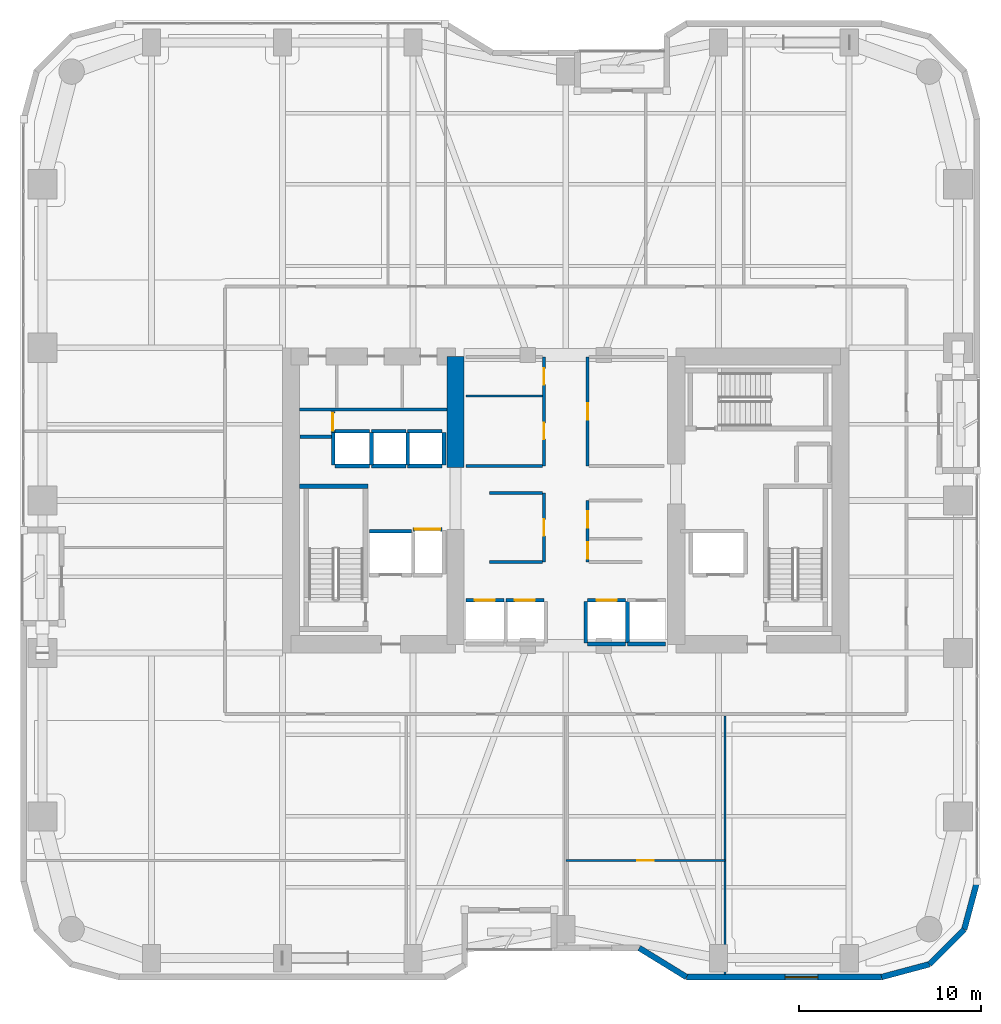
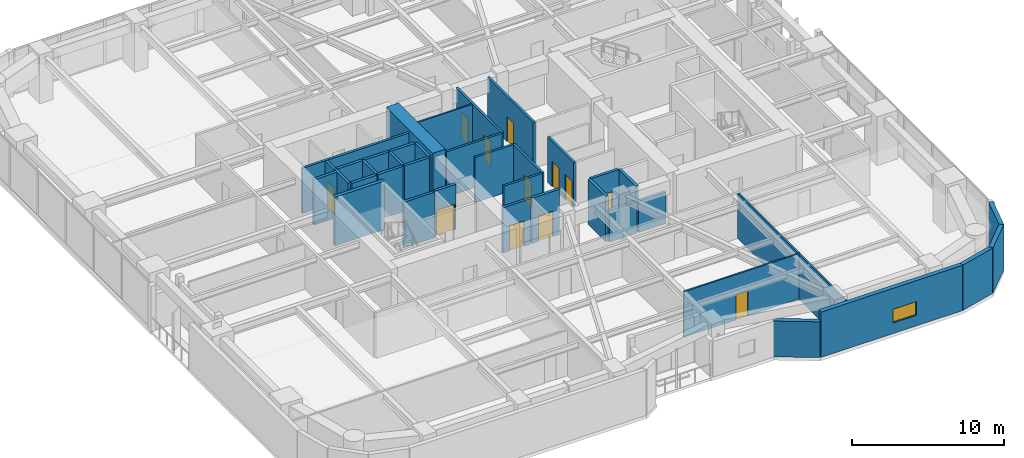
# One storey, part 19 of 24: 39 walls, 12 doors, 1 window, 13 openings.
"""IFC4 building model written with IfcOpenShell, lengths in metres."""

from ifc_helpers import new_model, si_unit, direction, frame, frame_2d, origin, place, context, subcontext, project, spatial, rectangle, extrude, material, layer, layer_set, type_object, element, fill, save


model = new_model("IFC4")

# Units and contexts
model_context = context("Model", 3, precision=1e-05, world=origin(), true_north=direction((0.0, 1.0)))
body_context = subcontext(model_context, "Body", "Model", "MODEL_VIEW")
ifc_project = project(units=[si_unit("LENGTHUNIT", "METRE"), si_unit("AREAUNIT", "SQUARE_METRE"), si_unit("VOLUMEUNIT", "CUBIC_METRE"), si_unit("PLANEANGLEUNIT", "RADIAN"), si_unit("MASSUNIT", "GRAM", prefix="KILO")], contexts=[model_context])

# Site, building, storey
site_placement = place(None, origin())
site = spatial("IfcSite", under=ifc_project, at=site_placement, CompositionType="ELEMENT")
building_placement = place(site_placement, origin())
building = spatial("IfcBuilding", under=site, at=building_placement, Name="Kiyonajd Concourse Tower", CompositionType="ELEMENT")
storey_placement = place(building_placement, frame((0.0, 0.0, 85.800048828125)))
storey = spatial("IfcBuildingStorey", under=building, at=storey_placement, Name="L22", CompositionType="ELEMENT", Elevation=85.800048828125)

# Walls
ifc_material_1 = material(Name="Concrete C80/95", Category="concrete")
ifc_layer_1 = layer(ifc_material_1, 0.949951171875)
ifc_layer_set_1 = layer_set([ifc_layer_1], Name="Concrete C80/95")
wall_type_1 = type_object("IfcWallType", Name="WL-CORE-950", PredefinedType="SHEAR", material=ifc_layer_set_1)
wall_1_placement = place(storey_placement, frame((41.925048828125, 37.800048828125, 0.0), z_axis=(0.0, 0.0, 1.0), x_axis=(0.0, 1.0, 0.0)))
element("IfcWall", 1, at=wall_1_placement, inside=storey, type_object=wall_type_1, Name="L22 West Core Inner North Shear Wall", PredefinedType="SHEAR", context=body_context, shape_type="SweptSolid", body=[
    extrude(rectangle(XDim=6.125, YDim=0.949951171875, at=frame_2d((3.0625, 0.0))), origin(), (0.0, 0.0, 1.0), 3.89990234375),
])
ifc_material_2 = material(Name="Precast concrete C50/60", Category="concrete")
ifc_layer_2 = layer(ifc_material_2, 0.320068359375)
ifc_layer_set_2 = layer_set([ifc_layer_2], Name="Precast concrete C50/60")
wall_type_2 = type_object("IfcWallType", Name="WL-EXT-320", PredefinedType="SOLIDWALL", material=ifc_layer_set_2)
wall_2_placement = place(storey_placement, frame((70.639892578125, 15.02099609375, 0.0), z_axis=(0.0, 0.0, 1.0), x_axis=(-0.258613949072, -0.965980758269, 0.0)))
element("IfcWall", 2, at=wall_2_placement, inside=storey, type_object=wall_type_2, Name="L22 Exterior Concrete Frame Wall 25", PredefinedType="SOLIDWALL", context=body_context, shape_type="SweptSolid", body=[
    extrude(rectangle(XDim=2.731201171875, YDim=0.320068359375, at=frame_2d((1.36572265625, 0.0))), origin(), (0.0, 0.0, 1.0), 3.639892578125),
])
wall_3_placement = place(storey_placement, frame((69.93359375, 12.3828125, 0.0), z_axis=(0.0, 0.0, 1.0), x_axis=(-0.707151821269, -0.707061738235, 0.0)))
element("IfcWall", 3, at=wall_3_placement, inside=storey, type_object=wall_type_2, Name="L22 Exterior Concrete Frame Wall 26", PredefinedType="SOLIDWALL", context=body_context, shape_type="SweptSolid", body=[
    extrude(rectangle(XDim=2.710205078125, YDim=0.320068359375, at=frame_2d((1.35498046875, 0.0))), origin(), (0.0, 0.0, 1.0), 3.639892578125),
])
wall_4_placement = place(storey_placement, frame((68.01708984375, 10.466552734375, 0.0), z_axis=(0.0, 0.0, 1.0), x_axis=(-0.965958423373, -0.25869736047, 0.0)))
element("IfcWall", 4, at=wall_4_placement, inside=storey, type_object=wall_type_2, Name="L22 Exterior Concrete Frame Wall 27", PredefinedType="SOLIDWALL", context=body_context, shape_type="SweptSolid", body=[
    extrude(rectangle(XDim=2.731201171875, YDim=0.320068359375, at=frame_2d((1.36572265625, 0.0))), origin(), (0.0, 0.0, 1.0), 3.639892578125),
])

# Wall, opening, window
wall_5_placement = place(storey_placement, frame((65.37890625, 9.760009765625, 0.0), z_axis=(0.0, 0.0, 1.0), x_axis=(-1.0, 0.0, 0.0)))
wall_5 = element("IfcWall", 5, at=wall_5_placement, inside=storey, type_object=wall_type_2, Name="L22 Exterior Concrete Frame Wall 28", PredefinedType="SOLIDWALL", context=body_context, shape_type="SweptSolid", body=[
    extrude(rectangle(XDim=10.733642578125, YDim=0.320068359375, at=frame_2d((5.36669921875, 0.0))), origin(), (0.0, 0.0, 1.0), 3.639892578125),
])
opening_1_placement = place(wall_5_placement, frame((3.4990234375, 0.0, 0.85009765625)))
opening_1 = element("IfcOpeningElement", 6, at=opening_1_placement, cuts=wall_5, Name="Opening WN1", PredefinedType="OPENING", context=body_context, shape_type="SweptSolid", body=[
    extrude(rectangle(XDim=1.800048828125, YDim=1.10009765625, at=frame_2d((0.89990234375, 0.550048828125))), frame((0.0, 0.169921875, 0.0), z_axis=(0.0, -1.0, 0.0), x_axis=(1.0, 0.0, 0.0)), (0.0, 0.0, 1.0), 0.340087890625),
])
ifc_material_3 = material(Name="Double Low-E Insulated Glass", Category="glass")
window_type = type_object("IfcWindowType", Name="WN-VIS-1800x1100", PartitioningType="SINGLE_PANEL", PredefinedType="WINDOW", material=ifc_material_3)
window_placement = place(opening_1_placement, origin())
window = element("IfcWindow", 7, at=window_placement, inside=storey, type_object=window_type, Name="L22 Modular Facade Vision Window 28", OverallHeight=1.10009765625, OverallWidth=1.800048828125, PartitioningType="SINGLE_PANEL", PredefinedType="WINDOW", context=body_context, shape_type="SweptSolid", body=[
    extrude(rectangle(XDim=1.800048828125, YDim=1.10009765625, at=frame_2d((0.89990234375, 0.550048828125))), frame((0.0, 0.030029296875, 0.0), z_axis=(0.0, -1.0, 0.0), x_axis=(1.0, 0.0, 0.0)), (0.0, 0.0, 1.0), 0.06005859375),
])
fill(opening_1, window)

# Walls
wall_6_placement = place(storey_placement, frame((54.645263671875, 9.760009765625, 0.0), z_axis=(0.0, 0.0, 1.0), x_axis=(-0.851630857047, 0.524142044989, 0.0)))
element("IfcWall", 8, at=wall_6_placement, inside=storey, type_object=wall_type_2, Name="L22 Exterior Concrete Frame Wall 29", PredefinedType="SOLIDWALL", context=body_context, shape_type="SweptSolid", body=[
    extrude(rectangle(XDim=3.052734375, YDim=0.320068359375, at=frame_2d((1.5263671875, 0.0))), origin(), (0.0, 0.0, 1.0), 2.875),
])
ifc_material_4 = material(Name="Gypsum Board on Cold-Formed Steel Stud", Category="steel")
ifc_layer_3 = layer(ifc_material_4, 0.125)
ifc_layer_set_3 = layer_set([ifc_layer_3], Name="Gypsum Board on Cold-Formed Steel Stud")
wall_type_3 = type_object("IfcWallType", Name="WL-PART-125", PredefinedType="PARTITIONING", material=ifc_layer_set_3)
wall_7_placement = place(storey_placement, frame((42.5, 41.739990234375, 0.0), z_axis=(0.0, 0.0, 1.0), x_axis=(1.0, 0.0, 0.0)))
element("IfcWall", 9, at=wall_7_placement, inside=storey, type_object=wall_type_3, Name="L22 Interior Partition Wall", PredefinedType="PARTITIONING", context=body_context, shape_type="SweptSolid", body=[
    extrude(rectangle(XDim=4.212890625, YDim=0.125, at=frame_2d((2.1064453125, 0.0))), origin(), (0.0, 0.0, 1.0), 3.639892578125),
])

# Wall, opening, door
wall_8_placement = place(storey_placement, frame((48.0, 16.179931640625, 0.0), z_axis=(0.0, 0.0, 1.0), x_axis=(1.0, 0.0, 0.0)))
wall_8 = element("IfcWall", 10, at=wall_8_placement, inside=storey, type_object=wall_type_3, Name="L22 Interior Partition Wall", PredefinedType="PARTITIONING", context=body_context, shape_type="SweptSolid", body=[
    extrude(rectangle(XDim=8.77001953125, YDim=0.125, at=frame_2d((4.385009765625, 0.0))), origin(), (0.0, 0.0, 1.0), 3.639892578125),
])
opening_2_placement = place(wall_8_placement, frame((3.93505859375, 0.0, 0.0)))
opening_2 = element("IfcOpeningElement", 11, at=opening_2_placement, cuts=wall_8, Name="Opening DI2", PredefinedType="OPENING", context=body_context, shape_type="SweptSolid", body=[
    extrude(rectangle(XDim=0.89990234375, YDim=2.02001953125, at=frame_2d((0.449951171875, 1.010009765625))), frame((0.0, 0.072509765625, 0.0), z_axis=(0.0, -1.0, 0.0), x_axis=(1.0, 0.0, 0.0)), (0.0, 0.0, 1.0), 0.14501953125),
])
ifc_material_5 = material(Name="Natural Oak Acoustic Timber Veneer", Category="wood")
door_type_1 = type_object("IfcDoorType", Name="DR-INT-900", OperationType="NOTDEFINED", PredefinedType="DOOR", material=ifc_material_5)
door_1_placement = place(opening_2_placement, origin())
door_1 = element("IfcDoor", 12, at=door_1_placement, inside=storey, type_object=door_type_1, Name="L22 Interior Door", OperationType="SINGLE_SWING_LEFT", OverallHeight=2.02001953125, OverallWidth=0.89990234375, PredefinedType="DOOR", context=body_context, shape_type="SweptSolid", body=[
    extrude(rectangle(XDim=0.89990234375, YDim=2.02001953125, at=frame_2d((0.449951171875, 1.010009765625))), frame((0.0, 0.02490234375, 0.0), z_axis=(0.0, -1.0, 0.0), x_axis=(1.0, 0.0, 0.0)), (0.0, 0.0, 1.0), 0.050048828125),
])
fill(opening_2, door_1)

# Walls
wall_9_placement = place(storey_placement, frame((56.77001953125, 9.9150390625, 0.0), z_axis=(0.0, 0.0, 1.0), x_axis=(0.0, 1.0, 0.0)))
element("IfcWall", 13, at=wall_9_placement, inside=storey, type_object=wall_type_3, Name="L22 Interior Partition Wall", PredefinedType="PARTITIONING", context=body_context, shape_type="SweptSolid", body=[
    extrude(rectangle(XDim=14.22802734375, YDim=0.125, at=frame_2d((7.114013671875, 0.0))), origin(), (0.0, 0.0, 1.0), 3.639892578125),
])
ifc_layer_4 = layer(ifc_material_4, 0.18994140625)
ifc_layer_set_4 = layer_set([ifc_layer_4], Name="Gypsum Board on Cold-Formed Steel Stud")
wall_type_4 = type_object("IfcWallType", Name="WL-PLMB-190", PredefinedType="PLUMBINGWALL", material=ifc_layer_set_4)
wall_10_placement = place(storey_placement, frame((33.35009765625, 41.0, 0.0), z_axis=(0.0, 0.0, 1.0), x_axis=(1.0, 0.0, 0.0)))
element("IfcWall", 14, at=wall_10_placement, inside=storey, type_object=wall_type_4, Name="L22 Interior Partition Wall", PredefinedType="PLUMBINGWALL", context=body_context, shape_type="SweptSolid", body=[
    extrude(rectangle(XDim=8.099853515625, YDim=0.18994140625, at=frame_2d((4.0498046875, 0.0))), origin(), (0.0, 0.0, 1.0), 3.639892578125),
])
ifc_layer_5 = layer(ifc_material_4, 0.2099609375)
ifc_layer_set_5 = layer_set([ifc_layer_5], Name="Gypsum Board on Cold-Formed Steel Stud")
wall_type_5 = type_object("IfcWallType", Name="WL-SHAFT-210", PredefinedType="PARTITIONING", material=ifc_layer_set_5)
wall_11_placement = place(storey_placement, frame((33.360107421875, 39.5, 0.0), z_axis=(0.0, 0.0, 1.0), x_axis=(1.0, 0.0, 0.0)))
element("IfcWall", 15, at=wall_11_placement, inside=storey, type_object=wall_type_5, Name="L22 Shaft Enclosure Wall", PredefinedType="PARTITIONING", context=body_context, shape_type="SweptSolid", body=[
    extrude(rectangle(XDim=1.85986328125, YDim=0.2099609375, at=frame_2d((0.929931640625, 0.0))), origin(), (0.0, 0.0, 1.0), 3.639892578125),
])
wall_12_placement = place(storey_placement, frame((37.199951171875, 34.300048828125, 0.0), z_axis=(0.0, 0.0, 1.0), x_axis=(1.0, 0.0, 0.0)))
element("IfcWall", 16, at=wall_12_placement, inside=storey, type_object=wall_type_5, Name="L22 Shaft Enclosure Wall", PredefinedType="PARTITIONING", context=body_context, shape_type="SweptSolid", body=[
    extrude(rectangle(XDim=2.300048828125, YDim=0.2099609375, at=frame_2d((1.14990234375, 0.0))), origin(), (0.0, 0.0, 1.0), 3.639892578125),
])

# Wall, opening, door
wall_13_placement = place(storey_placement, frame((39.60009765625, 34.39990234375, 0.0), z_axis=(0.0, 0.0, 1.0), x_axis=(1.0, 0.0, 0.0)))
wall_13 = element("IfcWall", 17, at=wall_13_placement, inside=storey, type_object=wall_type_5, Name="L22 Shaft Enclosure Wall", PredefinedType="PARTITIONING", context=body_context, shape_type="SweptSolid", body=[
    extrude(rectangle(XDim=1.599853515625, YDim=0.2099609375, at=frame_2d((0.7998046875, 0.0))), origin(), (0.0, 0.0, 1.0), 3.639892578125),
])
opening_3_placement = place(wall_13_placement, frame((0.10009765625, 0.0, 0.0)))
opening_3 = element("IfcOpeningElement", 18, at=opening_3_placement, cuts=wall_13, Name="Opening LD3", PredefinedType="OPENING", context=body_context, shape_type="SweptSolid", body=[
    extrude(rectangle(XDim=1.39990234375, YDim=2.06005859375, at=frame_2d((0.699951171875, 1.030029296875))), frame((0.0, 0.114990234375, 0.0), z_axis=(0.0, -1.0, 0.0), x_axis=(1.0, 0.0, 0.0)), (0.0, 0.0, 1.0), 0.22998046875),
])
ifc_material_6 = material(Name="Brushed Stainless Steel Cab Assembly", Category="steel")
door_type_2 = type_object("IfcDoorType", Name="DR-LD-1400", OperationType="DOUBLE_DOOR_SLIDING", PredefinedType="DOOR", material=ifc_material_6)
door_2_placement = place(opening_3_placement, origin())
door_2 = element("IfcDoor", 19, at=door_2_placement, inside=storey, type_object=door_type_2, Name="L22 Lift SVL1 Sliding Landing Door", OperationType="DOUBLE_DOOR_SLIDING", OverallHeight=2.06005859375, OverallWidth=1.39990234375, PredefinedType="DOOR", context=body_context, shape_type="SweptSolid", body=[
    extrude(rectangle(XDim=1.39990234375, YDim=2.06005859375, at=frame_2d((0.699951171875, 1.030029296875))), frame((0.0, 0.02490234375, 0.0), z_axis=(0.0, -1.0, 0.0), x_axis=(1.0, 0.0, 0.0)), (0.0, 0.0, 1.0), 0.050048828125),
])
fill(opening_3, door_2)

wall_14_placement = place(storey_placement, frame((42.5, 30.5, 0.0), z_axis=(0.0, 0.0, 1.0), x_axis=(1.0, 0.0, 0.0)))
wall_14 = element("IfcWall", 20, at=wall_14_placement, inside=storey, type_object=wall_type_5, Name="L22 Shaft Enclosure Wall", PredefinedType="PARTITIONING", context=body_context, shape_type="SweptSolid", body=[
    extrude(rectangle(XDim=2.10009765625, YDim=0.2099609375, at=frame_2d((1.050048828125, 0.0))), origin(), (0.0, 0.0, 1.0), 3.639892578125),
])
opening_4_placement = place(wall_14_placement, frame((0.5, 0.0, 0.0)))
opening_4 = element("IfcOpeningElement", 21, at=opening_4_placement, cuts=wall_14, Name="Opening LD1", PredefinedType="OPENING", context=body_context, shape_type="SweptSolid", body=[
    extrude(rectangle(XDim=1.10009765625, YDim=2.0400390625, at=frame_2d((0.550048828125, 1.02001953125))), frame((0.0, 0.114990234375, 0.0), z_axis=(0.0, -1.0, 0.0), x_axis=(1.0, 0.0, 0.0)), (0.0, 0.0, 1.0), 0.22998046875),
])
door_type_3 = type_object("IfcDoorType", Name="DR-LD-1100", OperationType="DOUBLE_DOOR_SLIDING", PredefinedType="DOOR", material=ifc_material_6)
door_3_placement = place(opening_4_placement, origin())
door_3 = element("IfcDoor", 22, at=door_3_placement, inside=storey, type_object=door_type_3, Name="L22 Lift PL-L1 Sliding Landing Door", OperationType="DOUBLE_DOOR_SLIDING", OverallHeight=2.0400390625, OverallWidth=1.10009765625, PredefinedType="DOOR", context=body_context, shape_type="SweptSolid", body=[
    extrude(rectangle(XDim=1.10009765625, YDim=2.0400390625, at=frame_2d((0.550048828125, 1.02001953125))), frame((0.0, 0.02490234375, 0.0), z_axis=(0.0, -1.0, 0.0), x_axis=(1.0, 0.0, 0.0)), (0.0, 0.0, 1.0), 0.050048828125),
])
fill(opening_4, door_3)

wall_15_placement = place(storey_placement, frame((44.699951171875, 30.5, 0.0), z_axis=(0.0, 0.0, 1.0), x_axis=(1.0, 0.0, 0.0)))
wall_15 = element("IfcWall", 23, at=wall_15_placement, inside=storey, type_object=wall_type_5, Name="L22 Shaft Enclosure Wall", PredefinedType="PARTITIONING", context=body_context, shape_type="SweptSolid", body=[
    extrude(rectangle(XDim=2.10009765625, YDim=0.2099609375, at=frame_2d((1.050048828125, 0.0))), origin(), (0.0, 0.0, 1.0), 3.639892578125),
])
opening_5_placement = place(wall_15_placement, frame((0.5, 0.0, 0.0)))
opening_5 = element("IfcOpeningElement", 24, at=opening_5_placement, cuts=wall_15, Name="Opening LD1", PredefinedType="OPENING", context=body_context, shape_type="SweptSolid", body=[
    extrude(rectangle(XDim=1.10009765625, YDim=2.0400390625, at=frame_2d((0.550048828125, 1.02001953125))), frame((0.0, 0.114990234375, 0.0), z_axis=(0.0, -1.0, 0.0), x_axis=(1.0, 0.0, 0.0)), (0.0, 0.0, 1.0), 0.22998046875),
])
door_4_placement = place(opening_5_placement, origin())
door_4 = element("IfcDoor", 25, at=door_4_placement, inside=storey, type_object=door_type_3, Name="L22 Lift PL-L2 Sliding Landing Door", OperationType="DOUBLE_DOOR_SLIDING", OverallHeight=2.0400390625, OverallWidth=1.10009765625, PredefinedType="DOOR", context=body_context, shape_type="SweptSolid", body=[
    extrude(rectangle(XDim=1.10009765625, YDim=2.0400390625, at=frame_2d((0.550048828125, 1.02001953125))), frame((0.0, 0.02490234375, 0.0), z_axis=(0.0, -1.0, 0.0), x_axis=(1.0, 0.0, 0.0)), (0.0, 0.0, 1.0), 0.050048828125),
])
fill(opening_5, door_4)

wall_16_placement = place(storey_placement, frame((49.199951171875, 30.5, 0.0), z_axis=(0.0, 0.0, 1.0), x_axis=(1.0, 0.0, 0.0)))
wall_16 = element("IfcWall", 26, at=wall_16_placement, inside=storey, type_object=wall_type_5, Name="L22 Shaft Enclosure Wall", PredefinedType="PARTITIONING", context=body_context, shape_type="SweptSolid", body=[
    extrude(rectangle(XDim=2.10009765625, YDim=0.2099609375, at=frame_2d((1.050048828125, 0.0))), origin(), (0.0, 0.0, 1.0), 3.639892578125),
])
opening_6_placement = place(wall_16_placement, frame((0.5, 0.0, 0.0)))
opening_6 = element("IfcOpeningElement", 27, at=opening_6_placement, cuts=wall_16, Name="Opening LD1", PredefinedType="OPENING", context=body_context, shape_type="SweptSolid", body=[
    extrude(rectangle(XDim=1.10009765625, YDim=2.0400390625, at=frame_2d((0.550048828125, 1.02001953125))), frame((0.0, 0.114990234375, 0.0), z_axis=(0.0, -1.0, 0.0), x_axis=(1.0, 0.0, 0.0)), (0.0, 0.0, 1.0), 0.22998046875),
])
door_5_placement = place(opening_6_placement, origin())
door_5 = element("IfcDoor", 28, at=door_5_placement, inside=storey, type_object=door_type_3, Name="L22 Lift PL-L3 Sliding Landing Door", OperationType="DOUBLE_DOOR_SLIDING", OverallHeight=2.0400390625, OverallWidth=1.10009765625, PredefinedType="DOOR", context=body_context, shape_type="SweptSolid", body=[
    extrude(rectangle(XDim=1.10009765625, YDim=2.0400390625, at=frame_2d((0.550048828125, 1.02001953125))), frame((0.0, 0.02490234375, 0.0), z_axis=(0.0, -1.0, 0.0), x_axis=(1.0, 0.0, 0.0)), (0.0, 0.0, 1.0), 0.050048828125),
])
fill(opening_6, door_5)

# Walls
wall_17_placement = place(storey_placement, frame((49.199951171875, 28.10009765625, 0.0), z_axis=(0.0, 0.0, 1.0), x_axis=(1.0, 0.0, 0.0)))
element("IfcWall", 29, at=wall_17_placement, inside=storey, type_object=wall_type_5, Name="L22 Shaft Enclosure Wall", PredefinedType="PARTITIONING", context=body_context, shape_type="SweptSolid", body=[
    extrude(rectangle(XDim=2.10009765625, YDim=0.2099609375, at=frame_2d((1.050048828125, 0.0))), origin(), (0.0, 0.0, 1.0), 2.52490234375),
])
for number, where, z_axis, x_axis, name in (
    (30, (49.10009765625, 28.159912109375, 0.0), (0.0, 0.0, 1.0), (0.0, 1.0, 0.0), "L22 Shaft Enclosure Wall"),
    (31, (51.39990234375, 28.159912109375, 0.0), (0.0, 0.0, 1.0), (0.0, 1.0, 0.0), "L22 Shaft Enclosure Wall"),
):
    element("IfcWall", number, at=place(storey_placement, frame(where, z_axis=z_axis, x_axis=x_axis)), inside=storey, type_object=wall_type_5, Name=name, PredefinedType="PARTITIONING", context=body_context, shape_type="SweptSolid", body=[
        extrude(rectangle(XDim=2.280029296875, YDim=0.2099609375, at=frame_2d((1.14013671875, 0.0))), origin(), (0.0, 0.0, 1.0), 3.639892578125),
    ])
wall_18_placement = place(storey_placement, frame((51.39990234375, 28.10009765625, 0.0), z_axis=(0.0, 0.0, 1.0), x_axis=(1.0, 0.0, 0.0)))
element("IfcWall", 32, at=wall_18_placement, inside=storey, type_object=wall_type_5, Name="L22 Shaft Enclosure Wall", PredefinedType="PARTITIONING", context=body_context, shape_type="SweptSolid", body=[
    extrude(rectangle(XDim=2.10009765625, YDim=0.2099609375, at=frame_2d((1.050048828125, 0.0))), origin(), (0.0, 0.0, 1.0), 2.52490234375),
])
for number, where, z_axis, x_axis, name in (
    (33, (35.300048828125, 37.89990234375, 0.0), (0.0, 0.0, 1.0), (1.0, 0.0, 0.0), "L22 Shaft Enclosure Wall"),
    (34, (35.300048828125, 39.800048828125, 0.0), (0.0, 0.0, 1.0), (1.0, 0.0, 0.0), "L22 Shaft Enclosure Wall"),
):
    element("IfcWall", number, at=place(storey_placement, frame(where, z_axis=z_axis, x_axis=x_axis)), inside=storey, type_object=wall_type_5, Name=name, PredefinedType="PARTITIONING", context=body_context, shape_type="SweptSolid", body=[
        extrude(rectangle(XDim=1.89990234375, YDim=0.2099609375, at=frame_2d((0.949951171875, 0.0))), origin(), (0.0, 0.0, 1.0), 3.639892578125),
    ])
for number, where, z_axis, x_axis, name in (
    (35, (35.199951171875, 37.9599609375, 0.0), (0.0, 0.0, 1.0), (0.0, 1.0, 0.0), "L22 Shaft Enclosure Wall"),
    (36, (37.300048828125, 37.9599609375, 0.0), (0.0, 0.0, 1.0), (0.0, 1.0, 0.0), "L22 Shaft Enclosure Wall"),
):
    element("IfcWall", number, at=place(storey_placement, frame(where, z_axis=z_axis, x_axis=x_axis)), inside=storey, type_object=wall_type_5, Name=name, PredefinedType="PARTITIONING", context=body_context, shape_type="SweptSolid", body=[
        extrude(rectangle(XDim=1.780029296875, YDim=0.2099609375, at=frame_2d((0.89013671875, 0.0))), origin(), (0.0, 0.0, 1.0), 3.639892578125),
    ])
for number, where, z_axis, x_axis, name in (
    (37, (37.300048828125, 37.89990234375, 0.0), (0.0, 0.0, 1.0), (1.0, 0.0, 0.0), "L22 Shaft Enclosure Wall"),
    (38, (37.300048828125, 39.800048828125, 0.0), (0.0, 0.0, 1.0), (1.0, 0.0, 0.0), "L22 Shaft Enclosure Wall"),
):
    element("IfcWall", number, at=place(storey_placement, frame(where, z_axis=z_axis, x_axis=x_axis)), inside=storey, type_object=wall_type_5, Name=name, PredefinedType="PARTITIONING", context=body_context, shape_type="SweptSolid", body=[
        extrude(rectangle(XDim=1.89990234375, YDim=0.2099609375, at=frame_2d((0.949951171875, 0.0))), origin(), (0.0, 0.0, 1.0), 3.639892578125),
    ])
wall_19_placement = place(storey_placement, frame((39.300048828125, 37.9599609375, 0.0), z_axis=(0.0, 0.0, 1.0), x_axis=(0.0, 1.0, 0.0)))
element("IfcWall", 39, at=wall_19_placement, inside=storey, type_object=wall_type_5, Name="L22 Shaft Enclosure Wall", PredefinedType="PARTITIONING", context=body_context, shape_type="SweptSolid", body=[
    extrude(rectangle(XDim=1.780029296875, YDim=0.2099609375, at=frame_2d((0.89013671875, 0.0))), origin(), (0.0, 0.0, 1.0), 3.639892578125),
])
for number, where, z_axis, x_axis, name in (
    (40, (39.300048828125, 37.89990234375, 0.0), (0.0, 0.0, 1.0), (1.0, 0.0, 0.0), "L22 Shaft Enclosure Wall"),
    (41, (39.300048828125, 39.800048828125, 0.0), (0.0, 0.0, 1.0), (1.0, 0.0, 0.0), "L22 Shaft Enclosure Wall"),
):
    element("IfcWall", number, at=place(storey_placement, frame(where, z_axis=z_axis, x_axis=x_axis)), inside=storey, type_object=wall_type_5, Name=name, PredefinedType="PARTITIONING", context=body_context, shape_type="SweptSolid", body=[
        extrude(rectangle(XDim=1.89990234375, YDim=0.2099609375, at=frame_2d((0.949951171875, 0.0))), origin(), (0.0, 0.0, 1.0), 3.639892578125),
    ])
wall_20_placement = place(storey_placement, frame((41.300048828125, 37.9599609375, 0.0), z_axis=(0.0, 0.0, 1.0), x_axis=(0.0, 1.0, 0.0)))
element("IfcWall", 42, at=wall_20_placement, inside=storey, type_object=wall_type_5, Name="L22 Shaft Enclosure Wall", PredefinedType="PARTITIONING", context=body_context, shape_type="SweptSolid", body=[
    extrude(rectangle(XDim=1.780029296875, YDim=0.2099609375, at=frame_2d((0.89013671875, 0.0))), origin(), (0.0, 0.0, 1.0), 3.639892578125),
])

# Wall, opening, door
wall_21_placement = place(storey_placement, frame((35.179931640625, 39.739990234375, 0.0), z_axis=(0.0, 0.0, 1.0), x_axis=(0.0, 1.0, 0.0)))
wall_21 = element("IfcWall", 43, at=wall_21_placement, inside=storey, type_object=wall_type_5, Name="L22 Interior Partition Wall", PredefinedType="PARTITIONING", context=body_context, shape_type="SweptSolid", body=[
    extrude(rectangle(XDim=1.159912109375, YDim=0.2099609375, at=frame_2d((0.580078125, 0.0))), origin(), (0.0, 0.0, 1.0), 3.639892578125),
])
opening_7_placement = place(wall_21_placement, frame((0.10498046875, 0.0, 0.0)))
opening_7 = element("IfcOpeningElement", 44, at=opening_7_placement, cuts=wall_21, Name="Opening DF3", PredefinedType="OPENING", context=body_context, shape_type="SweptSolid", body=[
    extrude(rectangle(XDim=0.949951171875, YDim=2.0400390625, at=frame_2d((0.47509765625, 1.02001953125))), frame((0.0, 0.114990234375, 0.0), z_axis=(0.0, -1.0, 0.0), x_axis=(1.0, 0.0, 0.0)), (0.0, 0.0, 1.0), 0.22998046875),
])
door_type_4 = type_object("IfcDoorType", Name="DR-FD60-950", OperationType="NOTDEFINED", PredefinedType="DOOR", material=ifc_material_6)
door_6_placement = place(opening_7_placement, origin())
door_6 = element("IfcDoor", 45, at=door_6_placement, inside=storey, type_object=door_type_4, Name="L22 Electrical Riser Access Door", OperationType="SINGLE_SWING_LEFT", OverallHeight=2.0400390625, OverallWidth=0.949951171875, PredefinedType="DOOR", context=body_context, shape_type="SweptSolid", body=[
    extrude(rectangle(XDim=0.949951171875, YDim=2.0400390625, at=frame_2d((0.47509765625, 1.02001953125))), frame((0.0, 0.02490234375, 0.0), z_axis=(0.0, -1.0, 0.0), x_axis=(1.0, 0.0, 0.0)), (0.0, 0.0, 1.0), 0.050048828125),
])
fill(opening_7, door_6)

ifc_layer_6 = layer(ifc_material_4, 0.169921875)
ifc_layer_set_6 = layer_set([ifc_layer_6], Name="Gypsum Board on Cold-Formed Steel Stud")
wall_type_6 = type_object("IfcWallType", Name="WL-SMK-170", PredefinedType="PARTITIONING", material=ifc_layer_set_6)
wall_22_placement = place(storey_placement, frame((46.800048828125, 32.60009765625, 0.0), z_axis=(0.0, 0.0, 1.0), x_axis=(0.0, 1.0, 0.0)))
wall_22 = element("IfcWall", 46, at=wall_22_placement, inside=storey, type_object=wall_type_6, Name="L22 Interior Partition Wall", PredefinedType="PARTITIONING", context=body_context, shape_type="SweptSolid", body=[
    extrude(rectangle(XDim=3.7998046875, YDim=0.169921875, at=frame_2d((1.89990234375, 0.0))), origin(), (0.0, 0.0, 1.0), 3.639892578125),
])
opening_8_placement = place(wall_22_placement, frame((1.449951171875, 0.0, 0.0)))
opening_8 = element("IfcOpeningElement", 47, at=opening_8_placement, cuts=wall_22, Name="Opening DI2", PredefinedType="OPENING", context=body_context, shape_type="SweptSolid", body=[
    extrude(rectangle(XDim=0.89990234375, YDim=2.02001953125, at=frame_2d((0.449951171875, 1.010009765625))), frame((0.0, 0.094970703125, 0.0), z_axis=(0.0, -1.0, 0.0), x_axis=(1.0, 0.0, 0.0)), (0.0, 0.0, 1.0), 0.18994140625),
])
door_7_placement = place(opening_8_placement, origin())
door_7 = element("IfcDoor", 48, at=door_7_placement, inside=storey, type_object=door_type_1, Name="L22 Interior Door", OperationType="SINGLE_SWING_RIGHT", OverallHeight=2.02001953125, OverallWidth=0.89990234375, PredefinedType="DOOR", context=body_context, shape_type="SweptSolid", body=[
    extrude(rectangle(XDim=0.89990234375, YDim=2.02001953125, at=frame_2d((0.449951171875, 1.010009765625))), frame((0.0, 0.02490234375, 0.0), z_axis=(0.0, -1.0, 0.0), x_axis=(1.0, 0.0, 0.0)), (0.0, 0.0, 1.0), 0.050048828125),
])
fill(opening_8, door_7)

# Walls
for number, where, z_axis, x_axis, name in (
    (49, (43.800048828125, 32.60009765625, 0.0), (0.0, 0.0, 1.0), (1.0, 0.0, 0.0), "L22 Interior Partition Wall"),
    (50, (43.800048828125, 36.39990234375, 0.0), (0.0, 0.0, 1.0), (1.0, 0.0, 0.0), "L22 Interior Partition Wall"),
):
    element("IfcWall", number, at=place(storey_placement, frame(where, z_axis=z_axis, x_axis=x_axis)), inside=storey, type_object=wall_type_6, Name=name, PredefinedType="PARTITIONING", context=body_context, shape_type="SweptSolid", body=[
        extrude(rectangle(XDim=2.912841796875, YDim=0.169921875, at=frame_2d((1.45654296875, 0.0))), origin(), (0.0, 0.0, 1.0), 3.639892578125),
    ])

# Wall, openings, doors
wall_23_placement = place(storey_placement, frame((49.199951171875, 32.60009765625, 0.0), z_axis=(0.0, 0.0, 1.0), x_axis=(0.0, 1.0, 0.0)))
wall_23 = element("IfcWall", 51, at=wall_23_placement, inside=storey, type_object=wall_type_6, Name="L22 Interior Partition Wall", PredefinedType="PARTITIONING", context=body_context, shape_type="SweptSolid", body=[
    extrude(rectangle(XDim=3.39990234375, YDim=0.169921875, at=frame_2d((1.699951171875, 0.0))), origin(), (0.0, 0.0, 1.0), 3.639892578125),
])
opening_9_placement = place(wall_23_placement, frame((0.196044921875, 0.0, 0.0)))
opening_9 = element("IfcOpeningElement", 52, at=opening_9_placement, cuts=wall_23, Name="Opening DI2", PredefinedType="OPENING", context=body_context, shape_type="SweptSolid", body=[
    extrude(rectangle(XDim=0.89990234375, YDim=2.02001953125, at=frame_2d((0.449951171875, 1.010009765625))), frame((0.0, 0.094970703125, 0.0), z_axis=(0.0, -1.0, 0.0), x_axis=(1.0, 0.0, 0.0)), (0.0, 0.0, 1.0), 0.18994140625),
])
opening_10_placement = place(wall_23_placement, frame((1.89599609375, 0.0, 0.0)))
opening_10 = element("IfcOpeningElement", 53, at=opening_10_placement, cuts=wall_23, Name="Opening DI2", PredefinedType="OPENING", context=body_context, shape_type="SweptSolid", body=[
    extrude(rectangle(XDim=0.89990234375, YDim=2.02001953125, at=frame_2d((0.449951171875, 1.010009765625))), frame((0.0, 0.094970703125, 0.0), z_axis=(0.0, -1.0, 0.0), x_axis=(1.0, 0.0, 0.0)), (0.0, 0.0, 1.0), 0.18994140625),
])
door_8_placement = place(opening_9_placement, origin())
door_8 = element("IfcDoor", 54, at=door_8_placement, inside=storey, type_object=door_type_1, Name="L22 Interior Door", OperationType="SINGLE_SWING_LEFT", OverallHeight=2.02001953125, OverallWidth=0.89990234375, PredefinedType="DOOR", context=body_context, shape_type="SweptSolid", body=[
    extrude(rectangle(XDim=0.89990234375, YDim=2.02001953125, at=frame_2d((0.449951171875, 1.010009765625))), frame((0.0, 0.02490234375, 0.0), z_axis=(0.0, -1.0, 0.0), x_axis=(1.0, 0.0, 0.0)), (0.0, 0.0, 1.0), 0.050048828125),
])
fill(opening_9, door_8)
door_9_placement = place(opening_10_placement, origin())
door_9 = element("IfcDoor", 55, at=door_9_placement, inside=storey, type_object=door_type_1, Name="L22 Interior Door", OperationType="SINGLE_SWING_RIGHT", OverallHeight=2.02001953125, OverallWidth=0.89990234375, PredefinedType="DOOR", context=body_context, shape_type="SweptSolid", body=[
    extrude(rectangle(XDim=0.89990234375, YDim=2.02001953125, at=frame_2d((0.449951171875, 1.010009765625))), frame((0.0, 0.02490234375, 0.0), z_axis=(0.0, -1.0, 0.0), x_axis=(1.0, 0.0, 0.0)), (0.0, 0.0, 1.0), 0.050048828125),
])
fill(opening_10, door_9)

wall_24_placement = place(storey_placement, frame((46.800048828125, 37.89990234375, 0.0), z_axis=(0.0, 0.0, 1.0), x_axis=(0.0, 1.0, 0.0)))
wall_24 = element("IfcWall", 56, at=wall_24_placement, inside=storey, type_object=wall_type_6, Name="L22 Interior Partition Wall", PredefinedType="PARTITIONING", context=body_context, shape_type="SweptSolid", body=[
    extrude(rectangle(XDim=6.0, YDim=0.169921875, at=frame_2d((3.0, 0.0))), origin(), (0.0, 0.0, 1.0), 3.639892578125),
])
opening_11_placement = place(wall_24_placement, frame((1.469970703125, 0.0, 0.0)))
opening_11 = element("IfcOpeningElement", 57, at=opening_11_placement, cuts=wall_24, Name="Opening DF4", PredefinedType="OPENING", context=body_context, shape_type="SweptSolid", body=[
    extrude(rectangle(XDim=0.89990234375, YDim=2.02001953125, at=frame_2d((0.449951171875, 1.010009765625))), frame((0.0, 0.094970703125, 0.0), z_axis=(0.0, -1.0, 0.0), x_axis=(1.0, 0.0, 0.0)), (0.0, 0.0, 1.0), 0.18994140625),
])
opening_12_placement = place(wall_24_placement, frame((4.469970703125, 0.0, 0.0)))
opening_12 = element("IfcOpeningElement", 58, at=opening_12_placement, cuts=wall_24, Name="Opening DF4", PredefinedType="OPENING", context=body_context, shape_type="SweptSolid", body=[
    extrude(rectangle(XDim=0.89990234375, YDim=2.02001953125, at=frame_2d((0.449951171875, 1.010009765625))), frame((0.0, 0.094970703125, 0.0), z_axis=(0.0, -1.0, 0.0), x_axis=(1.0, 0.0, 0.0)), (0.0, 0.0, 1.0), 0.18994140625),
])
door_type_5 = type_object("IfcDoorType", Name="DR-FD60-900", OperationType="NOTDEFINED", PredefinedType="DOOR", material=ifc_material_6)
door_10_placement = place(opening_11_placement, origin())
door_10 = element("IfcDoor", 59, at=door_10_placement, inside=storey, type_object=door_type_5, Name="L22 Interior Door", OperationType="SINGLE_SWING_LEFT", OverallHeight=2.02001953125, OverallWidth=0.89990234375, PredefinedType="DOOR", context=body_context, shape_type="SweptSolid", body=[
    extrude(rectangle(XDim=0.89990234375, YDim=2.02001953125, at=frame_2d((0.449951171875, 1.010009765625))), frame((0.0, 0.02490234375, 0.0), z_axis=(0.0, -1.0, 0.0), x_axis=(1.0, 0.0, 0.0)), (0.0, 0.0, 1.0), 0.050048828125),
])
fill(opening_11, door_10)
door_11_placement = place(opening_12_placement, origin())
door_11 = element("IfcDoor", 60, at=door_11_placement, inside=storey, type_object=door_type_5, Name="L22 Interior Door", OperationType="SINGLE_SWING_RIGHT", OverallHeight=2.02001953125, OverallWidth=0.89990234375, PredefinedType="DOOR", context=body_context, shape_type="SweptSolid", body=[
    extrude(rectangle(XDim=0.89990234375, YDim=2.02001953125, at=frame_2d((0.449951171875, 1.010009765625))), frame((0.0, 0.02490234375, 0.0), z_axis=(0.0, -1.0, 0.0), x_axis=(1.0, 0.0, 0.0)), (0.0, 0.0, 1.0), 0.050048828125),
])
fill(opening_12, door_11)

# Wall
wall_25_placement = place(storey_placement, frame((42.5, 37.89990234375, 0.0), z_axis=(0.0, 0.0, 1.0), x_axis=(1.0, 0.0, 0.0)))
element("IfcWall", 61, at=wall_25_placement, inside=storey, type_object=wall_type_6, Name="L22 Interior Partition Wall", PredefinedType="PARTITIONING", context=body_context, shape_type="SweptSolid", body=[
    extrude(rectangle(XDim=4.212890625, YDim=0.169921875, at=frame_2d((2.1064453125, 0.0))), origin(), (0.0, 0.0, 1.0), 3.639892578125),
])

# Wall, opening, door
wall_26_placement = place(storey_placement, frame((49.199951171875, 37.89990234375, 0.0), z_axis=(0.0, 0.0, 1.0), x_axis=(0.0, 1.0, 0.0)))
wall_26 = element("IfcWall", 62, at=wall_26_placement, inside=storey, type_object=wall_type_6, Name="L22 Interior Partition Wall", PredefinedType="PARTITIONING", context=body_context, shape_type="SweptSolid", body=[
    extrude(rectangle(XDim=6.0, YDim=0.169921875, at=frame_2d((3.0, 0.0))), origin(), (0.0, 0.0, 1.0), 3.639892578125),
])
opening_13_placement = place(wall_26_placement, frame((2.550048828125, 0.0, 0.0)))
opening_13 = element("IfcOpeningElement", 63, at=opening_13_placement, cuts=wall_26, Name="Opening DI2", PredefinedType="OPENING", context=body_context, shape_type="SweptSolid", body=[
    extrude(rectangle(XDim=0.89990234375, YDim=2.02001953125, at=frame_2d((0.449951171875, 1.010009765625))), frame((0.0, 0.094970703125, 0.0), z_axis=(0.0, -1.0, 0.0), x_axis=(1.0, 0.0, 0.0)), (0.0, 0.0, 1.0), 0.18994140625),
])
door_12_placement = place(opening_13_placement, origin())
door_12 = element("IfcDoor", 64, at=door_12_placement, inside=storey, type_object=door_type_1, Name="L22 Interior Door", OperationType="SINGLE_SWING_LEFT", OverallHeight=2.02001953125, OverallWidth=0.89990234375, PredefinedType="DOOR", context=body_context, shape_type="SweptSolid", body=[
    extrude(rectangle(XDim=0.89990234375, YDim=2.02001953125, at=frame_2d((0.449951171875, 1.010009765625))), frame((0.0, 0.02490234375, 0.0), z_axis=(0.0, -1.0, 0.0), x_axis=(1.0, 0.0, 0.0)), (0.0, 0.0, 1.0), 0.050048828125),
])
fill(opening_13, door_12)

# Wall
ifc_material_7 = material(Name="Concrete C50/60", Category="concrete")
ifc_layer_7 = layer(ifc_material_7, 0.260009765625)
ifc_layer_set_7 = layer_set([ifc_layer_7], Name="Concrete C50/60")
wall_type_7 = type_object("IfcWallType", Name="WL-STAIR-260", PredefinedType="SHEAR", material=ifc_layer_set_7)
wall_27_placement = place(storey_placement, frame((33.35009765625, 36.780029296875, 0.0), z_axis=(0.0, 0.0, 1.0), x_axis=(1.0, 0.0, 0.0)))
element("IfcWall", 65, at=wall_27_placement, inside=storey, type_object=wall_type_7, Name="L22 Stair ST1 Structural North Wall", PredefinedType="SHEAR", context=body_context, shape_type="SweptSolid", body=[
    extrude(rectangle(XDim=3.760009765625, YDim=0.260009765625, at=frame_2d((1.8798828125, 0.0))), origin(), (0.0, 0.0, 1.0), 3.89990234375),
])

save(model, "model.ifc")
